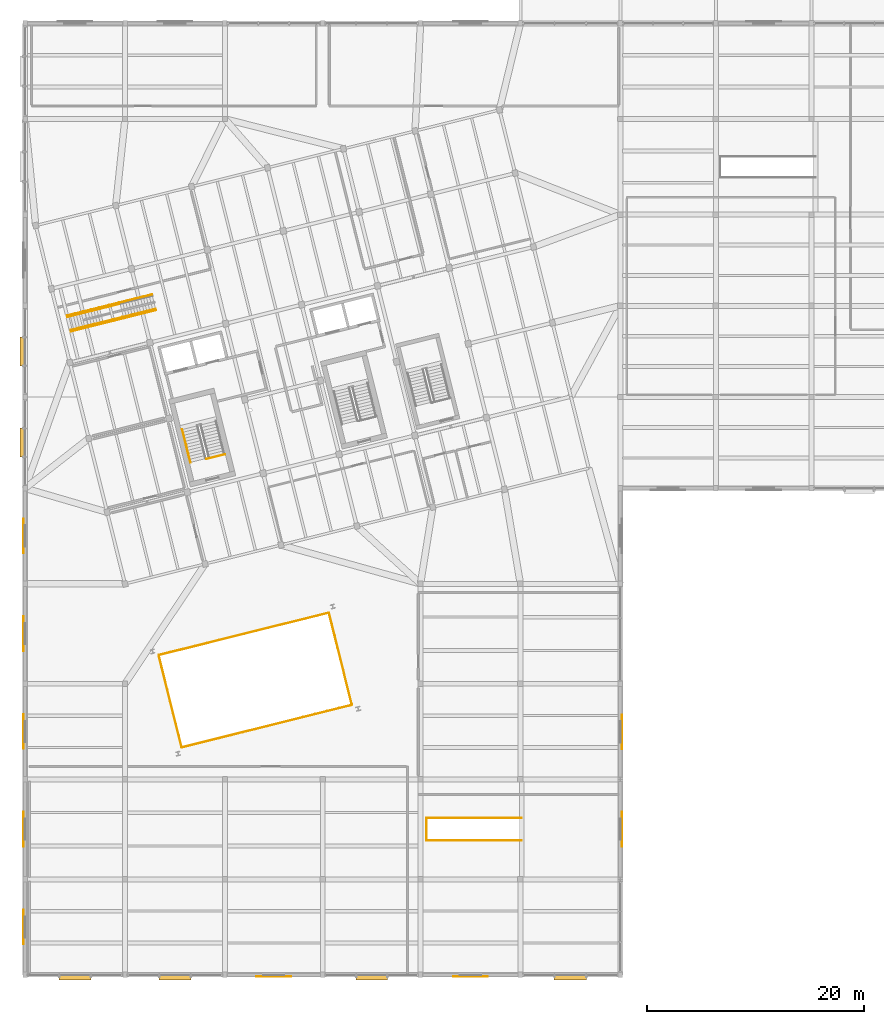
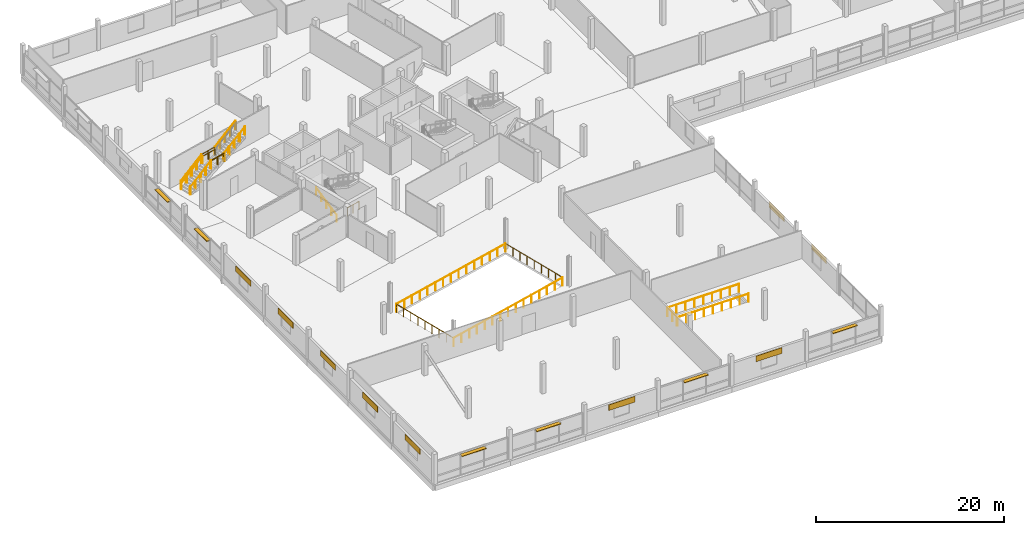
# One storey, part 60 of 62: 20 railings, 9 coverings, 6 shading devices.
"""IFC4 building model written with IfcOpenShell, lengths in metres."""

import ifcopenshell
import ifcopenshell.guid

model = None  # the IFC model being written
_history = None  # IfcOwnerHistory: only IFC2X3 demands one
_inside = {}  # id of a spatial element -> (the spatial element, [elements in it])
_under = {}  # id of a project, library or spatial element -> (it, [spatial elements below it])
_declared = {}  # id of a project -> (the project, [libraries it declares])
_typed = {}  # id of a type object -> (the type object, [elements of that type])
_made_of = {}  # id of a material, layer set ... -> (it, [elements and type objects made of it])


def new_model(schema):
    """Start an empty IFC model of exactly this schema.

    Asked for "IFC4X3", IfcOpenShell would pick the latest addendum, in which some entities
    have other attributes; the version numbers below select the first issue.
    IFC2X3 requires an IfcOwnerHistory on every rooted entity: one is made here for all.
    """
    global model, _history
    if schema == "IFC4X3":
        model = ifcopenshell.file(schema_version=(4, 3, 0, 0))
    else:
        model = ifcopenshell.file(schema=schema)
    _inside.clear()
    _under.clear()
    _declared.clear()
    _typed.clear()
    _made_of.clear()
    _history = None
    if model.schema == "IFC2X3":
        org = make("IfcOrganization", Name="unknown")
        user = make(
            "IfcPersonAndOrganization",
            ThePerson=make("IfcPerson", FamilyName="unknown"),
            TheOrganization=org,
        )
        app = make(
            "IfcApplication",
            ApplicationDeveloper=org,
            Version="unknown",
            ApplicationFullName="unknown",
            ApplicationIdentifier="unknown",
        )
        _history = make(
            "IfcOwnerHistory",
            OwningUser=user,
            OwningApplication=app,
            ChangeAction="ADDED",
            CreationDate=0,
        )
    return model


def make(cls, **values):
    """One entity of the class cls with the attributes given. An attribute that is None is left unset."""
    return model.create_entity(
        cls, **{name: value for name, value in values.items() if value is not None}
    )


def rooted(cls, **values):
    """An entity with a GlobalId (a new one), such as an element, a storey or a relation."""
    return make(cls, GlobalId=ifcopenshell.guid.new(), OwnerHistory=_history, **values)


def si_unit(unit_type, name, prefix=None):
    """IfcSIUnit, for example si_unit("LENGTHUNIT", "METRE", prefix="MILLI")."""
    return make("IfcSIUnit", UnitType=unit_type, Prefix=prefix, Name=name)


def assignment(units):
    """IfcUnitAssignment: the units of a project."""
    return None if units is None else make("IfcUnitAssignment", Units=units)


def point(xyz):
    """IfcCartesianPoint."""
    return None if xyz is None else make("IfcCartesianPoint", Coordinates=xyz)


def direction(xyz):
    """IfcDirection."""
    return None if xyz is None else make("IfcDirection", DirectionRatios=xyz)


def frame(location, z_axis=None, x_axis=None):
    """IfcAxis2Placement3D, a coordinate frame: its origin and axes. An axis left out is left unset."""
    return make(
        "IfcAxis2Placement3D",
        Location=point(location),
        Axis=direction(z_axis),
        RefDirection=direction(x_axis),
    )


def frame_2d(location, x_axis=None):
    """IfcAxis2Placement2D, a coordinate frame in the plane: its origin and x axis."""
    return make(
        "IfcAxis2Placement2D", Location=point(location), RefDirection=direction(x_axis)
    )


def origin():
    """The frame at (0, 0, 0) with its axes left unset."""
    return frame((0.0, 0.0, 0.0))


def origin_2d():
    """The frame at (0, 0) in the plane with its x axis left unset."""
    return frame_2d((0.0, 0.0))


def place(relative_to, where):
    """IfcLocalPlacement: puts the frame where relative to a parent placement (None: the world)."""
    return make(
        "IfcLocalPlacement", PlacementRelTo=relative_to, RelativePlacement=where
    )


def context(
    kind, dimensions, precision=None, world=None, true_north=None, identifier=None
):
    """IfcGeometricRepresentationContext, for example the 3D "Model" context."""
    return make(
        "IfcGeometricRepresentationContext",
        ContextIdentifier=identifier,
        ContextType=kind,
        CoordinateSpaceDimension=dimensions,
        Precision=precision,
        WorldCoordinateSystem=world,
        TrueNorth=true_north,
    )


def subcontext(parent, identifier, kind, view, scale=None):
    """IfcGeometricRepresentationSubContext, for example "Body" below "Model"."""
    return make(
        "IfcGeometricRepresentationSubContext",
        ContextIdentifier=identifier,
        ContextType=kind,
        ParentContext=parent,
        TargetScale=scale,
        TargetView=view,
    )


def project(units=None, contexts=None):
    """IfcProject with its units and contexts."""
    return rooted(
        "IfcProject",
        Name="project",
        RepresentationContexts=contexts,
        UnitsInContext=assignment(units),
    )


def spatial(cls, under=None, at=None, **own):
    """A site, building, storey or space (cls), placed at a placement, below another one or the project."""
    s = rooted(cls, ObjectPlacement=at, **own)
    if under is not None:
        _under.setdefault(under.id(), (under, []))[1].append(s)
    return s


def profile(cls, at=None, kind="AREA", **sizes):
    """A parametric profile (cls). Its sizes go by their IFC names, for example OverallWidth=200.0."""
    return make(cls, ProfileType=kind, Position=at, **sizes)


def rectangle(**sizes):
    """IfcRectangleProfileDef."""
    return profile("IfcRectangleProfileDef", **sizes)


def circle(**sizes):
    """IfcCircleProfileDef."""
    return profile("IfcCircleProfileDef", **sizes)


def extrude(swept, where, along, depth):
    """IfcExtrudedAreaSolid: the profile swept, set in the frame where, extruded along a direction by depth."""
    return make(
        "IfcExtrudedAreaSolid",
        SweptArea=swept,
        Position=where,
        ExtrudedDirection=direction(along),
        Depth=depth,
    )


def shape(context_of_items, identifier, shape_type, items):
    """IfcShapeRepresentation: the items that make up one representation, for example the "Body"."""
    return make(
        "IfcShapeRepresentation",
        ContextOfItems=context_of_items,
        RepresentationIdentifier=identifier,
        RepresentationType=shape_type,
        Items=items,
    )


def material(Name=None, Category=None):
    """IfcMaterial."""
    return make("IfcMaterial", Name=Name, Category=Category)


def layer(
    of_material, thickness, ventilated=None, Name=None, Category=None, Priority=None
):
    """IfcMaterialLayer: one layer of a wall or slab, of a material (None: an air gap)."""
    return make(
        "IfcMaterialLayer",
        Material=of_material,
        LayerThickness=thickness,
        IsVentilated=ventilated,
        Name=Name,
        Category=Category,
        Priority=Priority,
    )


def layer_set(layers, Name=None):
    """IfcMaterialLayerSet."""
    return make("IfcMaterialLayerSet", MaterialLayers=layers, LayerSetName=Name)


def made_of(thing, what):
    """Note that an element or type object is made of a material, layer set ...; save() writes the relation."""
    if what is not None:
        _made_of.setdefault(what.id(), (what, []))[1].append(thing)
    return thing


def type_object(cls, material=None, **own):
    """A type object (cls), such as IfcWallType, which elements share."""
    return made_of(rooted(cls, **own), material)


def element(
    cls,
    number,
    at=None,
    inside=None,
    cuts=None,
    type_object=None,
    material=None,
    context=None,
    identifier="Body",
    shape_type=None,
    held_by="IfcProductDefinitionShape",
    body=None,
    shapes=None,
    **own,
):
    """One element of the class cls, such as IfcWall. Its Tag is "e" and its number.

    at: its placement. inside: the storey or other place that contains it. cuts: it is an
    opening in that element (IfcRelVoidsElement). A single representation is given by context,
    identifier, shape_type and body (its items); several are given by shapes. held_by: the class
    of the entity that holds the representations. save() writes the other relations.
    """
    e = rooted(cls, Tag="e%d" % number, ObjectPlacement=at, **own)
    if body is not None:
        shapes = [shape(context, identifier, shape_type, body)]
    if shapes is not None:
        e.Representation = make(held_by, Representations=shapes)
    if inside is not None:
        _inside.setdefault(inside.id(), (inside, []))[1].append(e)
    if cuts is not None:
        rooted(
            "IfcRelVoidsElement", RelatingBuildingElement=cuts, RelatedOpeningElement=e
        )
    if type_object is not None:
        _typed.setdefault(type_object.id(), (type_object, []))[1].append(e)
    return made_of(e, material)


def aggregate(whole, parts):
    """IfcRelAggregates: a whole, such as a stair, and the parts it consists of."""
    return rooted("IfcRelAggregates", RelatingObject=whole, RelatedObjects=parts)


def save(model, path):
    """Write the relations noted so far, then the file.

    IfcRelAggregates (storeys below a building ...), IfcRelContainedInSpatialStructure (elements
    in a storey), IfcRelDefinesByType, IfcRelAssociatesMaterial and IfcRelDeclares: one each for
    every whole, place, type object, material and project.
    """
    for whole, parts in _under.values():
        aggregate(whole, parts)
    for where, things in _inside.values():
        rooted(
            "IfcRelContainedInSpatialStructure",
            RelatedElements=things,
            RelatingStructure=where,
        )
    for kind, things in _typed.values():
        rooted("IfcRelDefinesByType", RelatedObjects=things, RelatingType=kind)
    for what, things in _made_of.values():
        rooted("IfcRelAssociatesMaterial", RelatedObjects=things, RelatingMaterial=what)
    for by, libraries in _declared.values():
        rooted("IfcRelDeclares", RelatingContext=by, RelatedDefinitions=libraries)
    model.write(path)


model = new_model("IFC4")

# Units and contexts
model_context = context("Model", 3, precision=1e-05, world=origin(), true_north=direction((0.0, 1.0)))
body_context = subcontext(model_context, "Body", "Model", "MODEL_VIEW")
ifc_project = project(units=[si_unit("LENGTHUNIT", "METRE"), si_unit("AREAUNIT", "SQUARE_METRE"), si_unit("VOLUMEUNIT", "CUBIC_METRE"), si_unit("PLANEANGLEUNIT", "RADIAN"), si_unit("MASSUNIT", "GRAM", prefix="KILO")], contexts=[model_context])

# Site, building, storey
site_placement = place(None, origin())
site = spatial("IfcSite", under=ifc_project, at=site_placement, CompositionType="ELEMENT")
building_placement = place(site_placement, origin())
building = spatial("IfcBuilding", under=site, at=building_placement, Name="Meriwether Solvik Hall", CompositionType="ELEMENT")
storey_placement = place(building_placement, frame((0.0, 0.0, 14.39990234375)))
storey = spatial("IfcBuildingStorey", under=building, at=storey_placement, Name="L03", CompositionType="ELEMENT", Elevation=14.39990234375)

# Coverings
ifc_material_1 = material(Name="Acetylated Charred Western Red Cedar Timber", Category="wood")
ifc_layer_1 = layer(ifc_material_1, 0.0400390625)
ifc_layer_set_1 = layer_set([ifc_layer_1], Name="Acetylated Charred Western Red Cedar Timber")
covering_type = type_object("IfcCoveringType", Name="COV-CLAD-TIMB", PredefinedType="CLADDING", material=ifc_layer_set_1)
for number, where, z_axis, x_axis, name in (
    (1, (82.300048828125, 5.0400390625, 2.05517578125), (0.0, 0.0, 1.0), (-1.0, 0.0, 0.0), "L03 Facade Cladding XA_9_2"),
    (2, (100.39990234375, 5.0400390625, 2.05517578125), (0.0, 0.0, 1.0), (-1.0, 0.0, 0.0), "L03 Facade Cladding XA_11_4"),
    (3, (59.239990234375, 9.60009765625, 2.05517578125), (0.0, 0.0, 1.0), (0.0, 1.0, 0.0), "L03 Facade Cladding Y7_1_24"),
    (4, (59.239990234375, 18.60009765625, 2.05517578125), (0.0, 0.0, 1.0), (0.0, 1.0, 0.0), "L03 Facade Cladding Y7_2_25"),
    (5, (59.239990234375, 27.60009765625, 2.05517578125), (0.0, 0.0, 1.0), (0.0, 1.0, 0.0), "L03 Facade Cladding Y7_3_26"),
    (6, (59.239990234375, 36.60009765625, 2.05517578125), (0.0, 0.0, 1.0), (0.0, 1.0, 0.0), "L03 Facade Cladding Y7_4_27"),
    (7, (59.239990234375, 45.60009765625, 2.05517578125), (0.0, 0.0, 1.0), (0.0, 1.0, 0.0), "L03 Facade Cladding Y7_5_28"),
    (8, (114.360107421875, 18.60009765625, 2.05517578125), (0.0, 0.0, 1.0), (0.0, -1.0, 0.0), "L03 Facade Cladding Y13_2_35"),
    (9, (114.360107421875, 27.565185546875, 2.05517578125), (0.0, 0.0, 1.0), (0.0, -1.0, 0.0), "L03 Facade Cladding Y13_3_36"),
):
    element("IfcCovering", number, at=place(storey_placement, frame(where, z_axis=z_axis, x_axis=x_axis)), inside=storey, type_object=covering_type, Name=name, PredefinedType="CLADDING", context=body_context, shape_type="SweptSolid", body=[
        extrude(rectangle(XDim=3.199951171875, YDim=0.0400390625, at=origin_2d()), origin(), (0.0, 0.0, 1.0), 0.75),
    ])

# Railings
ifc_material_2 = material(Name="Steel A36 Galvanised", Category="steel")
ifc_layer_2 = layer(ifc_material_2, 0.054931640625)
ifc_layer_set_2 = layer_set([ifc_layer_2], Name="Steel A36 Galvanised")
railing_type_1 = type_object("IfcRailingType", Name="RAIL-STR-GUARD", PredefinedType="GUARDRAIL", material=ifc_layer_set_2)
railing_1_placement = place(storey_placement, frame((76.092041015625, 52.69384765625, 0.0)))
element("IfcRailing", 10, at=railing_1_placement, inside=storey, type_object=railing_type_1, Name="Stair ST-01 Well Guardrail (L03)", PredefinedType="GUARDRAIL", context=body_context, shape_type="SweptSolid", body=[
    extrude(circle(Radius=0.02392578125, at=origin_2d()), frame((0.0, 0.0, 1.09619140625), z_axis=(0.970298223594, 0.241911879182, 0.0), x_axis=(-0.241911879182, 0.970298223594, 0.0)), (0.0, 0.0, 1.0), 1.75),
    extrude(circle(Radius=0.02099609375, at=origin_2d()), origin(), (0.0, 0.0, 1.0), 1.072021484375),
    extrude(circle(Radius=0.02099609375, at=origin_2d()), frame((0.84912109375, 0.211669921875, 0.0)), (0.0, 0.0, 1.0), 1.072021484375),
    extrude(circle(Radius=0.02099609375, at=origin_2d()), frame((1.697998046875, 0.42333984375, 0.0)), (0.0, 0.0, 1.0), 1.072021484375),
])
railing_2_placement = place(storey_placement, frame((105.1201171875, 17.56005859375, 0.0)))
element("IfcRailing", 11, at=railing_2_placement, inside=storey, type_object=railing_type_1, Name="Stair ST-AT3 Arrival Well Guardrail (L03) 1", PredefinedType="GUARDRAIL", context=body_context, shape_type="SweptSolid", body=[
    extrude(circle(Radius=0.02392578125, at=origin_2d()), frame((0.0, 0.0, 1.09619140625), z_axis=(-1.0, 0.0, 0.0), x_axis=(0.0, -1.0, 0.0)), (0.0, 0.0, 1.0), 8.748046875),
    extrude(circle(Radius=0.02099609375, at=origin_2d()), origin(), (0.0, 0.0, 1.0), 1.072021484375),
    extrude(circle(Radius=0.02099609375, at=origin_2d()), frame((-1.093505859375, 0.0, 0.0)), (0.0, 0.0, 1.0), 1.072021484375),
    extrude(circle(Radius=0.02099609375, at=origin_2d()), frame((-2.18701171875, 0.0, 0.0)), (0.0, 0.0, 1.0), 1.072021484375),
    extrude(circle(Radius=0.02099609375, at=origin_2d()), frame((-3.280517578125, 0.0, 0.0)), (0.0, 0.0, 1.0), 1.072021484375),
    extrude(circle(Radius=0.02099609375, at=origin_2d()), frame((-4.3740234375, 0.0, 0.0)), (0.0, 0.0, 1.0), 1.072021484375),
    extrude(circle(Radius=0.02099609375, at=origin_2d()), frame((-5.467529296875, 0.0, 0.0)), (0.0, 0.0, 1.0), 1.072021484375),
    extrude(circle(Radius=0.02099609375, at=origin_2d()), frame((-6.56103515625, 0.0, 0.0)), (0.0, 0.0, 1.0), 1.072021484375),
    extrude(circle(Radius=0.02099609375, at=origin_2d()), frame((-7.654541015625, 0.0, 0.0)), (0.0, 0.0, 1.0), 1.072021484375),
    extrude(circle(Radius=0.02099609375, at=origin_2d()), frame((-8.748046875, 0.0, 0.0)), (0.0, 0.0, 1.0), 1.072021484375),
])
railing_3_placement = place(storey_placement, frame((96.340087890625, 17.592041015625, 0.0)))
element("IfcRailing", 12, at=railing_3_placement, inside=storey, type_object=railing_type_1, Name="Stair ST-AT3 Arrival Well Guardrail (L03) 2", PredefinedType="GUARDRAIL", context=body_context, shape_type="SweptSolid", body=[
    extrude(circle(Radius=0.02392578125, at=origin_2d()), frame((0.0, 0.0, 1.09619140625), z_axis=(0.0, 1.0, 0.0), x_axis=(-1.0, 0.0, 0.0)), (0.0, 0.0, 1.0), 2.015869140625),
    extrude(circle(Radius=0.02099609375, at=origin_2d()), origin(), (0.0, 0.0, 1.0), 1.072021484375),
    extrude(circle(Radius=0.02099609375, at=origin_2d()), frame((0.0, 1.0078125, 0.0)), (0.0, 0.0, 1.0), 1.072021484375),
    extrude(circle(Radius=0.02099609375, at=origin_2d()), frame((0.0, 2.015869140625, 0.0)), (0.0, 0.0, 1.0), 1.072021484375),
])
railing_4_placement = place(storey_placement, frame((96.3720703125, 19.639892578125, 0.0)))
element("IfcRailing", 13, at=railing_4_placement, inside=storey, type_object=railing_type_1, Name="Stair ST-AT3 Arrival Well Guardrail (L03) 3", PredefinedType="GUARDRAIL", context=body_context, shape_type="SweptSolid", body=[
    extrude(circle(Radius=0.02392578125, at=origin_2d()), frame((0.0, 0.0, 1.09619140625), z_axis=(1.0, 0.0, 0.0), x_axis=(0.0, 1.0, 0.0)), (0.0, 0.0, 1.0), 8.748046875),
    extrude(circle(Radius=0.02099609375, at=origin_2d()), origin(), (0.0, 0.0, 1.0), 1.072021484375),
    extrude(circle(Radius=0.02099609375, at=origin_2d()), frame((1.093505859375, 0.0, 0.0)), (0.0, 0.0, 1.0), 1.072021484375),
    extrude(circle(Radius=0.02099609375, at=origin_2d()), frame((2.18701171875, 0.0, 0.0)), (0.0, 0.0, 1.0), 1.072021484375),
    extrude(circle(Radius=0.02099609375, at=origin_2d()), frame((3.280517578125, 0.0, 0.0)), (0.0, 0.0, 1.0), 1.072021484375),
    extrude(circle(Radius=0.02099609375, at=origin_2d()), frame((4.3740234375, 0.0, 0.0)), (0.0, 0.0, 1.0), 1.072021484375),
    extrude(circle(Radius=0.02099609375, at=origin_2d()), frame((5.467529296875, 0.0, 0.0)), (0.0, 0.0, 1.0), 1.072021484375),
    extrude(circle(Radius=0.02099609375, at=origin_2d()), frame((6.56103515625, 0.0, 0.0)), (0.0, 0.0, 1.0), 1.072021484375),
    extrude(circle(Radius=0.02099609375, at=origin_2d()), frame((7.654541015625, 0.0, 0.0)), (0.0, 0.0, 1.0), 1.072021484375),
    extrude(circle(Radius=0.02099609375, at=origin_2d()), frame((8.748046875, 0.0, 0.0)), (0.0, 0.0, 1.0), 1.072021484375),
])
railing_5_placement = place(storey_placement, frame((63.62939453125, 64.44287109375, 0.0)))
element("IfcRailing", 14, at=railing_5_placement, inside=storey, type_object=railing_type_1, Name="Stair ST-ED1 Guardrail L 1", PredefinedType="GUARDRAIL", context=body_context, shape_type="SweptSolid", body=[
    extrude(circle(Radius=0.02392578125, at=origin_2d()), frame((0.0, 0.0, 1.09619140625), z_axis=(0.819789962935, 0.204372270766, 0.534954569672), x_axis=(-0.241894791228, 0.970302483753, 0.0)), (0.0, 0.0, 1.0), 3.607666015625),
    extrude(circle(Radius=0.02099609375, at=origin_2d()), origin(), (0.0, 0.0, 1.0), 1.072021484375),
    extrude(circle(Radius=0.02099609375, at=origin_2d()), frame((0.7392578125, 0.184326171875, 0.482421875)), (0.0, 0.0, 1.0), 1.072021484375),
    extrude(circle(Radius=0.02099609375, at=origin_2d()), frame((1.478759765625, 0.36865234375, 0.96484375)), (0.0, 0.0, 1.0), 1.072021484375),
    extrude(circle(Radius=0.02099609375, at=origin_2d()), frame((2.21826171875, 0.552978515625, 1.447509765625)), (0.0, 0.0, 1.0), 1.072021484375),
    extrude(circle(Radius=0.02099609375, at=origin_2d()), frame((2.95751953125, 0.7373046875, 1.929931640625)), (0.0, 0.0, 1.0), 1.072021484375),
])
railing_6_placement = place(storey_placement, frame((66.64892578125, 65.19580078125, 1.9501953125)))
element("IfcRailing", 15, at=railing_6_placement, inside=storey, type_object=railing_type_1, Name="Stair ST-ED1 Guardrail L 2", PredefinedType="GUARDRAIL", context=body_context, shape_type="SweptSolid", body=[
    extrude(circle(Radius=0.02392578125, at=origin_2d()), frame((0.0, 0.0, 1.09619140625), z_axis=(0.970306538846, 0.241878524621, 0.0), x_axis=(-0.241878524621, 0.970306538846, 0.0)), (0.0, 0.0, 1.0), 1.8359375),
    extrude(circle(Radius=0.02099609375, at=origin_2d()), origin(), (0.0, 0.0, 1.0), 1.072021484375),
    extrude(circle(Radius=0.02099609375, at=origin_2d()), frame((0.890625, 0.22216796875, 0.0)), (0.0, 0.0, 1.0), 1.072021484375),
    extrude(circle(Radius=0.02099609375, at=origin_2d()), frame((1.781494140625, 0.444091796875, 0.0)), (0.0, 0.0, 1.0), 1.072021484375),
])
railing_7_placement = place(storey_placement, frame((68.492431640625, 65.655517578125, 1.970458984375)))
element("IfcRailing", 16, at=railing_7_placement, inside=storey, type_object=railing_type_1, Name="Stair ST-ED1 Guardrail L 3", PredefinedType="GUARDRAIL", context=body_context, shape_type="SweptSolid", body=[
    extrude(circle(Radius=0.02392578125, at=origin_2d()), frame((0.0, 0.0, 1.09619140625), z_axis=(0.819819640662, 0.204379669374, 0.534906260508), x_axis=(-0.241894791228, 0.970302483753, 0.0)), (0.0, 0.0, 1.0), 3.607421875),
    extrude(circle(Radius=0.02099609375, at=origin_2d()), origin(), (0.0, 0.0, 1.0), 1.072021484375),
    extrude(circle(Radius=0.02099609375, at=origin_2d()), frame((0.7392578125, 0.184326171875, 0.482421875)), (0.0, 0.0, 1.0), 1.072021484375),
    extrude(circle(Radius=0.02099609375, at=origin_2d()), frame((1.478759765625, 0.36865234375, 0.96484375)), (0.0, 0.0, 1.0), 1.072021484375),
    extrude(circle(Radius=0.02099609375, at=origin_2d()), frame((2.21826171875, 0.552978515625, 1.447265625)), (0.0, 0.0, 1.0), 1.072021484375),
    extrude(circle(Radius=0.02099609375, at=origin_2d()), frame((2.95751953125, 0.7373046875, 1.9296875)), (0.0, 0.0, 1.0), 1.072021484375),
])
railing_8_placement = place(storey_placement, frame((63.268798828125, 65.888671875, 0.0)))
element("IfcRailing", 17, at=railing_8_placement, inside=storey, type_object=railing_type_1, Name="Stair ST-ED1 Guardrail R 1", PredefinedType="GUARDRAIL", context=body_context, shape_type="SweptSolid", body=[
    extrude(circle(Radius=0.02392578125, at=origin_2d()), frame((0.0, 0.0, 1.09619140625), z_axis=(0.819789962935, 0.204372270766, 0.534954569672), x_axis=(-0.241894791228, 0.970302483753, 0.0)), (0.0, 0.0, 1.0), 3.607666015625),
    extrude(circle(Radius=0.02099609375, at=origin_2d()), origin(), (0.0, 0.0, 1.0), 1.072021484375),
    extrude(circle(Radius=0.02099609375, at=origin_2d()), frame((0.7392578125, 0.184326171875, 0.482421875)), (0.0, 0.0, 1.0), 1.072021484375),
    extrude(circle(Radius=0.02099609375, at=origin_2d()), frame((1.478759765625, 0.36865234375, 0.96484375)), (0.0, 0.0, 1.0), 1.072021484375),
    extrude(circle(Radius=0.02099609375, at=origin_2d()), frame((2.21826171875, 0.552978515625, 1.447509765625)), (0.0, 0.0, 1.0), 1.072021484375),
    extrude(circle(Radius=0.02099609375, at=origin_2d()), frame((2.95751953125, 0.7373046875, 1.929931640625)), (0.0, 0.0, 1.0), 1.072021484375),
])
railing_9_placement = place(storey_placement, frame((66.28857421875, 66.6416015625, 1.9501953125)))
element("IfcRailing", 18, at=railing_9_placement, inside=storey, type_object=railing_type_1, Name="Stair ST-ED1 Guardrail R 2", PredefinedType="GUARDRAIL", context=body_context, shape_type="SweptSolid", body=[
    extrude(circle(Radius=0.02392578125, at=origin_2d()), frame((0.0, 0.0, 1.09619140625), z_axis=(0.970298757705, 0.241909736878, 0.0), x_axis=(-0.241909736878, 0.970298757705, 0.0)), (0.0, 0.0, 1.0), 1.835693359375),
    extrude(circle(Radius=0.02099609375, at=origin_2d()), origin(), (0.0, 0.0, 1.0), 1.072021484375),
    extrude(circle(Radius=0.02099609375, at=origin_2d()), frame((0.890625, 0.22216796875, 0.0)), (0.0, 0.0, 1.0), 1.072021484375),
    extrude(circle(Radius=0.02099609375, at=origin_2d()), frame((1.78125, 0.444091796875, 0.0)), (0.0, 0.0, 1.0), 1.072021484375),
])
railing_10_placement = place(storey_placement, frame((68.132080078125, 67.10107421875, 1.970458984375)))
element("IfcRailing", 19, at=railing_10_placement, inside=storey, type_object=railing_type_1, Name="Stair ST-ED1 Guardrail R 3", PredefinedType="GUARDRAIL", context=body_context, shape_type="SweptSolid", body=[
    extrude(circle(Radius=0.02392578125, at=origin_2d()), frame((0.0, 0.0, 1.09619140625), z_axis=(0.819808299707, 0.204444516544, 0.534898860895), x_axis=(-0.24197019989, 0.970283681387, 0.0)), (0.0, 0.0, 1.0), 3.607666015625),
    extrude(circle(Radius=0.02099609375, at=origin_2d()), origin(), (0.0, 0.0, 1.0), 1.072021484375),
    extrude(circle(Radius=0.02099609375, at=origin_2d()), frame((0.7392578125, 0.184326171875, 0.482421875)), (0.0, 0.0, 1.0), 1.072021484375),
    extrude(circle(Radius=0.02099609375, at=origin_2d()), frame((1.478759765625, 0.36865234375, 0.96484375)), (0.0, 0.0, 1.0), 1.072021484375),
    extrude(circle(Radius=0.02099609375, at=origin_2d()), frame((2.21826171875, 0.55322265625, 1.447265625)), (0.0, 0.0, 1.0), 1.072021484375),
    extrude(circle(Radius=0.02099609375, at=origin_2d()), frame((2.95751953125, 0.737548828125, 1.9296875)), (0.0, 0.0, 1.0), 1.072021484375),
])
ifc_material_3 = material(Name="Stainless Steel AISI 316", Category="steel")
ifc_layer_3 = layer(ifc_material_3, 0.044921875)
ifc_layer_set_3 = layer_set([ifc_layer_3], Name="Stainless Steel AISI 316")
railing_type_2 = type_object("IfcRailingType", Name="RAIL-STR-HAND", PredefinedType="HANDRAIL", material=ifc_layer_set_3)
railing_11_placement = place(storey_placement, frame((74.6220703125, 52.38916015625, 0.0)))
element("IfcRailing", 20, at=railing_11_placement, inside=storey, type_object=railing_type_2, Name="Stair ST-01 Lower Handrail (L03)", PredefinedType="HANDRAIL", context=body_context, shape_type="SweptSolid", body=[
    extrude(circle(Radius=0.02392578125, at=origin_2d()), frame((0.0, 0.0, 0.89599609375), z_axis=(-0.205467106702, 0.823914517495, 0.528155408876), x_axis=(-0.970284074567, -0.241968623258, 0.0)), (0.0, 0.0, 1.0), 3.698974609375),
    extrude(circle(Radius=0.02099609375, at=origin_2d()), origin(), (0.0, 0.0, 1.0), 0.871826171875),
    extrude(circle(Radius=0.02099609375, at=origin_2d()), frame((-0.18994140625, 0.761962890625, 0.48828125)), (0.0, 0.0, 1.0), 0.871826171875),
    extrude(circle(Radius=0.02099609375, at=origin_2d()), frame((-0.3798828125, 1.52392578125, 0.976806640625)), (0.0, 0.0, 1.0), 0.871826171875),
    extrude(circle(Radius=0.02099609375, at=origin_2d()), frame((-0.570068359375, 2.28564453125, 1.46533203125)), (0.0, 0.0, 1.0), 0.871826171875),
    extrude(circle(Radius=0.02099609375, at=origin_2d()), frame((-0.760009765625, 3.047607421875, 1.95361328125)), (0.0, 0.0, 1.0), 0.871826171875),
])
railing_12_placement = place(storey_placement, frame((63.600341796875, 64.559326171875, 0.0)))
element("IfcRailing", 21, at=railing_12_placement, inside=storey, type_object=railing_type_2, Name="Stair ST-ED1 Handrail L 1", PredefinedType="HANDRAIL", context=body_context, shape_type="SweptSolid", body=[
    extrude(circle(Radius=0.02392578125, at=origin_2d()), frame((0.0, 0.0, 0.89599609375), z_axis=(0.819779742851, 0.204410180499, 0.534955747067), x_axis=(-0.241939874624, 0.970291243425, 0.0)), (0.0, 0.0, 1.0), 3.65234375),
    extrude(circle(Radius=0.02099609375, at=origin_2d()), origin(), (0.0, 0.0, 1.0), 0.871826171875),
    extrude(circle(Radius=0.02099609375, at=origin_2d()), frame((0.74853515625, 0.1865234375, 0.488525390625)), (0.0, 0.0, 1.0), 0.871826171875),
    extrude(circle(Radius=0.02099609375, at=origin_2d()), frame((1.4970703125, 0.373291015625, 0.97705078125)), (0.0, 0.0, 1.0), 0.871826171875),
    extrude(circle(Radius=0.02099609375, at=origin_2d()), frame((2.24560546875, 0.56005859375, 1.46533203125)), (0.0, 0.0, 1.0), 0.871826171875),
    extrude(circle(Radius=0.02099609375, at=origin_2d()), frame((2.994140625, 0.74658203125, 1.953857421875)), (0.0, 0.0, 1.0), 0.871826171875),
])
railing_13_placement = place(storey_placement, frame((66.65185546875, 65.320068359375, 1.9501953125)))
element("IfcRailing", 22, at=railing_13_placement, inside=storey, type_object=railing_type_2, Name="Stair ST-ED1 Handrail L 2", PredefinedType="HANDRAIL", context=body_context, shape_type="SweptSolid", body=[
    extrude(circle(Radius=0.02392578125, at=origin_2d()), frame((0.0, 0.0, 0.89599609375), z_axis=(0.970296454726, 0.241918973929, 0.0), x_axis=(-0.241918973929, 0.970296454726, 0.0)), (0.0, 0.0, 1.0), 1.77001953125),
    extrude(circle(Radius=0.02099609375, at=origin_2d()), origin(), (0.0, 0.0, 1.0), 0.871826171875),
    extrude(circle(Radius=0.02099609375, at=origin_2d()), frame((0.85888671875, 0.214111328125, 0.0)), (0.0, 0.0, 1.0), 0.871826171875),
    extrude(circle(Radius=0.02099609375, at=origin_2d()), frame((1.717529296875, 0.42822265625, 0.0)), (0.0, 0.0, 1.0), 0.871826171875),
])
railing_14_placement = place(storey_placement, frame((68.432373046875, 65.76416015625, 1.9501953125)))
element("IfcRailing", 23, at=railing_14_placement, inside=storey, type_object=railing_type_2, Name="Stair ST-ED1 Handrail L 3", PredefinedType="HANDRAIL", context=body_context, shape_type="SweptSolid", body=[
    extrude(circle(Radius=0.02392578125, at=origin_2d()), frame((0.0, 0.0, 0.89599609375), z_axis=(0.819830975066, 0.204406287954, 0.534878716876), x_axis=(-0.241921303114, 0.970295873999, 0.0)), (0.0, 0.0, 1.0), 3.65234375),
    extrude(circle(Radius=0.02099609375, at=origin_2d()), origin(), (0.0, 0.0, 1.0), 0.871826171875),
    extrude(circle(Radius=0.02099609375, at=origin_2d()), frame((0.74853515625, 0.1865234375, 0.48828125)), (0.0, 0.0, 1.0), 0.871826171875),
    extrude(circle(Radius=0.02099609375, at=origin_2d()), frame((1.4970703125, 0.373291015625, 0.976806640625)), (0.0, 0.0, 1.0), 0.871826171875),
    extrude(circle(Radius=0.02099609375, at=origin_2d()), frame((2.245849609375, 0.56005859375, 1.46533203125)), (0.0, 0.0, 1.0), 0.871826171875),
    extrude(circle(Radius=0.02099609375, at=origin_2d()), frame((2.994384765625, 0.74658203125, 1.95361328125)), (0.0, 0.0, 1.0), 0.871826171875),
])
railing_15_placement = place(storey_placement, frame((63.2978515625, 65.772216796875, 0.0)))
element("IfcRailing", 24, at=railing_15_placement, inside=storey, type_object=railing_type_2, Name="Stair ST-ED1 Handrail R 1", PredefinedType="HANDRAIL", context=body_context, shape_type="SweptSolid", body=[
    extrude(circle(Radius=0.02392578125, at=origin_2d()), frame((0.0, 0.0, 0.89599609375), z_axis=(0.819801663417, 0.204398979758, 0.534926433944), x_axis=(-0.241921303114, 0.970295873999, 0.0)), (0.0, 0.0, 1.0), 3.652587890625),
    extrude(circle(Radius=0.02099609375, at=origin_2d()), origin(), (0.0, 0.0, 1.0), 0.871826171875),
    extrude(circle(Radius=0.02099609375, at=origin_2d()), frame((0.74853515625, 0.1865234375, 0.488525390625)), (0.0, 0.0, 1.0), 0.871826171875),
    extrude(circle(Radius=0.02099609375, at=origin_2d()), frame((1.4970703125, 0.373291015625, 0.97705078125)), (0.0, 0.0, 1.0), 0.871826171875),
    extrude(circle(Radius=0.02099609375, at=origin_2d()), frame((2.245849609375, 0.56005859375, 1.46533203125)), (0.0, 0.0, 1.0), 0.871826171875),
    extrude(circle(Radius=0.02099609375, at=origin_2d()), frame((2.994384765625, 0.74658203125, 1.953857421875)), (0.0, 0.0, 1.0), 0.871826171875),
])
railing_16_placement = place(storey_placement, frame((66.349609375, 66.532958984375, 1.9501953125)))
element("IfcRailing", 25, at=railing_16_placement, inside=storey, type_object=railing_type_2, Name="Stair ST-ED1 Handrail R 2", PredefinedType="HANDRAIL", context=body_context, shape_type="SweptSolid", body=[
    extrude(circle(Radius=0.02392578125, at=origin_2d()), frame((0.0, 0.0, 0.89599609375), z_axis=(0.970288381123, 0.241951353496, 0.0), x_axis=(-0.241951353496, 0.970288381123, 0.0)), (0.0, 0.0, 1.0), 1.769775390625),
    extrude(circle(Radius=0.02099609375, at=origin_2d()), origin(), (0.0, 0.0, 1.0), 0.871826171875),
    extrude(circle(Radius=0.02099609375, at=origin_2d()), frame((0.858642578125, 0.214111328125, 0.0)), (0.0, 0.0, 1.0), 0.871826171875),
    extrude(circle(Radius=0.02099609375, at=origin_2d()), frame((1.71728515625, 0.42822265625, 0.0)), (0.0, 0.0, 1.0), 0.871826171875),
])
ifc_material_4 = material(Name="Laminated Tempered Glass and Stainless Steel AISI 316", Category="steel")
ifc_layer_4 = layer(ifc_material_4, 0.06005859375)
ifc_layer_set_4 = layer_set([ifc_layer_4], Name="Laminated Tempered Glass and Stainless Steel AISI 316")
railing_type_3 = type_object("IfcRailingType", Name="RAIL-TERR-1120", PredefinedType="GUARDRAIL", material=ifc_layer_set_4)
railing_17_placement = place(storey_placement, frame((73.8505859375, 26.14306640625, 0.0)))
element("IfcRailing", 26, at=railing_17_placement, inside=storey, type_object=railing_type_3, Name="L03 Civic Atrium Cleft Guardrail 1", PredefinedType="GUARDRAIL", context=body_context, shape_type="SweptSolid", body=[
    extrude(circle(Radius=0.02392578125, at=origin_2d()), frame((0.0, 0.0, 1.09619140625), z_axis=(0.970298438081, 0.241911018883, 0.0), x_axis=(-0.241911018883, 0.970298438081, 0.0)), (0.0, 0.0, 1.0), 16.095947265625),
    extrude(circle(Radius=0.02099609375, at=origin_2d()), origin(), (0.0, 0.0, 1.0), 1.072021484375),
    extrude(circle(Radius=0.02099609375, at=origin_2d()), frame((1.115478515625, 0.278076171875, 0.0)), (0.0, 0.0, 1.0), 1.072021484375),
    extrude(circle(Radius=0.02099609375, at=origin_2d()), frame((2.231201171875, 0.55615234375, 0.0)), (0.0, 0.0, 1.0), 1.072021484375),
    extrude(circle(Radius=0.02099609375, at=origin_2d()), frame((3.3466796875, 0.83447265625, 0.0)), (0.0, 0.0, 1.0), 1.072021484375),
    extrude(circle(Radius=0.02099609375, at=origin_2d()), frame((4.462158203125, 1.112548828125, 0.0)), (0.0, 0.0, 1.0), 1.072021484375),
    extrude(circle(Radius=0.02099609375, at=origin_2d()), frame((5.577880859375, 1.390625, 0.0)), (0.0, 0.0, 1.0), 1.072021484375),
    extrude(circle(Radius=0.02099609375, at=origin_2d()), frame((6.693359375, 1.668701171875, 0.0)), (0.0, 0.0, 1.0), 1.072021484375),
    extrude(circle(Radius=0.02099609375, at=origin_2d()), frame((7.80908203125, 1.94677734375, 0.0)), (0.0, 0.0, 1.0), 1.072021484375),
    extrude(circle(Radius=0.02099609375, at=origin_2d()), frame((8.924560546875, 2.22509765625, 0.0)), (0.0, 0.0, 1.0), 1.072021484375),
    extrude(circle(Radius=0.02099609375, at=origin_2d()), frame((10.0400390625, 2.503173828125, 0.0)), (0.0, 0.0, 1.0), 1.072021484375),
    extrude(circle(Radius=0.02099609375, at=origin_2d()), frame((11.15576171875, 2.78125, 0.0)), (0.0, 0.0, 1.0), 1.072021484375),
    extrude(circle(Radius=0.02099609375, at=origin_2d()), frame((12.271240234375, 3.059326171875, 0.0)), (0.0, 0.0, 1.0), 1.072021484375),
    extrude(circle(Radius=0.02099609375, at=origin_2d()), frame((13.38671875, 3.337646484375, 0.0)), (0.0, 0.0, 1.0), 1.072021484375),
    extrude(circle(Radius=0.02099609375, at=origin_2d()), frame((14.50244140625, 3.61572265625, 0.0)), (0.0, 0.0, 1.0), 1.072021484375),
    extrude(circle(Radius=0.02099609375, at=origin_2d()), frame((15.617919921875, 3.893798828125, 0.0)), (0.0, 0.0, 1.0), 1.072021484375),
])
railing_18_placement = place(storey_placement, frame((89.49169921875, 30.07568359375, 0.0)))
element("IfcRailing", 27, at=railing_18_placement, inside=storey, type_object=railing_type_3, Name="L03 Civic Atrium Cleft Guardrail 2", PredefinedType="GUARDRAIL", context=body_context, shape_type="SweptSolid", body=[
    extrude(circle(Radius=0.02392578125, at=origin_2d()), frame((0.0, 0.0, 1.09619140625), z_axis=(-0.241921231997, 0.970295891731, 0.0), x_axis=(-0.970295891731, -0.241921231997, 0.0)), (0.0, 0.0, 1.0), 8.696044921875),
    extrude(circle(Radius=0.02099609375, at=origin_2d()), origin(), (0.0, 0.0, 1.0), 1.072021484375),
    extrude(circle(Radius=0.02099609375, at=origin_2d()), frame((-0.262939453125, 1.0546875, 0.0)), (0.0, 0.0, 1.0), 1.072021484375),
    extrude(circle(Radius=0.02099609375, at=origin_2d()), frame((-0.52587890625, 2.109375, 0.0)), (0.0, 0.0, 1.0), 1.072021484375),
    extrude(circle(Radius=0.02099609375, at=origin_2d()), frame((-0.788818359375, 3.1640625, 0.0)), (0.0, 0.0, 1.0), 1.072021484375),
    extrude(circle(Radius=0.02099609375, at=origin_2d()), frame((-1.0517578125, 4.21875, 0.0)), (0.0, 0.0, 1.0), 1.072021484375),
    extrude(circle(Radius=0.02099609375, at=origin_2d()), frame((-1.31494140625, 5.273681640625, 0.0)), (0.0, 0.0, 1.0), 1.072021484375),
    extrude(circle(Radius=0.02099609375, at=origin_2d()), frame((-1.577880859375, 6.328369140625, 0.0)), (0.0, 0.0, 1.0), 1.072021484375),
    extrude(circle(Radius=0.02099609375, at=origin_2d()), frame((-1.8408203125, 7.383056640625, 0.0)), (0.0, 0.0, 1.0), 1.072021484375),
    extrude(circle(Radius=0.02099609375, at=origin_2d()), frame((-2.103759765625, 8.437744140625, 0.0)), (0.0, 0.0, 1.0), 1.072021484375),
])
railing_19_placement = place(storey_placement, frame((87.34912109375, 38.53662109375, 0.0)))
element("IfcRailing", 28, at=railing_19_placement, inside=storey, type_object=railing_type_3, Name="L03 Civic Atrium Cleft Guardrail 3", PredefinedType="GUARDRAIL", context=body_context, shape_type="SweptSolid", body=[
    extrude(circle(Radius=0.02392578125, at=origin_2d()), frame((0.0, 0.0, 1.09619140625), z_axis=(-0.970297550429, -0.241914579206, 0.0), x_axis=(0.241914579206, -0.970297550429, 0.0)), (0.0, 0.0, 1.0), 16.095703125),
    extrude(circle(Radius=0.02099609375, at=origin_2d()), origin(), (0.0, 0.0, 1.0), 1.072021484375),
    extrude(circle(Radius=0.02099609375, at=origin_2d()), frame((-1.115478515625, -0.278076171875, 0.0)), (0.0, 0.0, 1.0), 1.072021484375),
    extrude(circle(Radius=0.02099609375, at=origin_2d()), frame((-2.231201171875, -0.55615234375, 0.0)), (0.0, 0.0, 1.0), 1.072021484375),
    extrude(circle(Radius=0.02099609375, at=origin_2d()), frame((-3.3466796875, -0.83447265625, 0.0)), (0.0, 0.0, 1.0), 1.072021484375),
    extrude(circle(Radius=0.02099609375, at=origin_2d()), frame((-4.462158203125, -1.112548828125, 0.0)), (0.0, 0.0, 1.0), 1.072021484375),
    extrude(circle(Radius=0.02099609375, at=origin_2d()), frame((-5.57763671875, -1.390625, 0.0)), (0.0, 0.0, 1.0), 1.072021484375),
    extrude(circle(Radius=0.02099609375, at=origin_2d()), frame((-6.693359375, -1.668701171875, 0.0)), (0.0, 0.0, 1.0), 1.072021484375),
    extrude(circle(Radius=0.02099609375, at=origin_2d()), frame((-7.808837890625, -1.94677734375, 0.0)), (0.0, 0.0, 1.0), 1.072021484375),
    extrude(circle(Radius=0.02099609375, at=origin_2d()), frame((-8.92431640625, -2.22509765625, 0.0)), (0.0, 0.0, 1.0), 1.072021484375),
    extrude(circle(Radius=0.02099609375, at=origin_2d()), frame((-10.0400390625, -2.503173828125, 0.0)), (0.0, 0.0, 1.0), 1.072021484375),
    extrude(circle(Radius=0.02099609375, at=origin_2d()), frame((-11.155517578125, -2.78125, 0.0)), (0.0, 0.0, 1.0), 1.072021484375),
    extrude(circle(Radius=0.02099609375, at=origin_2d()), frame((-12.27099609375, -3.059326171875, 0.0)), (0.0, 0.0, 1.0), 1.072021484375),
    extrude(circle(Radius=0.02099609375, at=origin_2d()), frame((-13.386474609375, -3.337646484375, 0.0)), (0.0, 0.0, 1.0), 1.072021484375),
    extrude(circle(Radius=0.02099609375, at=origin_2d()), frame((-14.502197265625, -3.61572265625, 0.0)), (0.0, 0.0, 1.0), 1.072021484375),
    extrude(circle(Radius=0.02099609375, at=origin_2d()), frame((-15.61767578125, -3.893798828125, 0.0)), (0.0, 0.0, 1.0), 1.072021484375),
])
railing_20_placement = place(storey_placement, frame((71.7080078125, 34.60400390625, 0.0)))
element("IfcRailing", 29, at=railing_20_placement, inside=storey, type_object=railing_type_3, Name="L03 Civic Atrium Cleft Guardrail 4", PredefinedType="GUARDRAIL", context=body_context, shape_type="SweptSolid", body=[
    extrude(circle(Radius=0.02392578125, at=origin_2d()), frame((0.0, 0.0, 1.09619140625), z_axis=(0.241921231997, -0.970295891731, 0.0), x_axis=(0.970295891731, 0.241921231997, 0.0)), (0.0, 0.0, 1.0), 8.696044921875),
    extrude(circle(Radius=0.02099609375, at=origin_2d()), origin(), (0.0, 0.0, 1.0), 1.072021484375),
    extrude(circle(Radius=0.02099609375, at=origin_2d()), frame((0.262939453125, -1.0546875, 0.0)), (0.0, 0.0, 1.0), 1.072021484375),
    extrude(circle(Radius=0.02099609375, at=origin_2d()), frame((0.52587890625, -2.109375, 0.0)), (0.0, 0.0, 1.0), 1.072021484375),
    extrude(circle(Radius=0.02099609375, at=origin_2d()), frame((0.788818359375, -3.1640625, 0.0)), (0.0, 0.0, 1.0), 1.072021484375),
    extrude(circle(Radius=0.02099609375, at=origin_2d()), frame((1.0517578125, -4.21875, 0.0)), (0.0, 0.0, 1.0), 1.072021484375),
    extrude(circle(Radius=0.02099609375, at=origin_2d()), frame((1.31494140625, -5.273681640625, 0.0)), (0.0, 0.0, 1.0), 1.072021484375),
    extrude(circle(Radius=0.02099609375, at=origin_2d()), frame((1.577880859375, -6.328369140625, 0.0)), (0.0, 0.0, 1.0), 1.072021484375),
    extrude(circle(Radius=0.02099609375, at=origin_2d()), frame((1.8408203125, -7.383056640625, 0.0)), (0.0, 0.0, 1.0), 1.072021484375),
    extrude(circle(Radius=0.02099609375, at=origin_2d()), frame((2.103759765625, -8.437744140625, 0.0)), (0.0, 0.0, 1.0), 1.072021484375),
])

# Shading devices
ifc_material_5 = material(Name="Anodised Aluminium 6063-T6", Category="aluminium")
shading_device_type_1 = type_object("IfcShadingDeviceType", Name="SHD-LOUVRE-S", PredefinedType="SHUTTER", material=ifc_material_5)
for number, where, z_axis, x_axis, name in (
    (30, (64.0, 4.9599609375, 2.594970703125), (0.0, 0.0, 1.0), (-1.0, 0.0, 0.0), "Solar Shading Louvre wing_XA_7_0"),
    (31, (73.199951171875, 4.9599609375, 2.594970703125), (0.0, 0.0, 1.0), (-1.0, 0.0, 0.0), "Solar Shading Louvre wing_XA_8_1"),
):
    element("IfcShadingDevice", number, at=place(storey_placement, frame(where, z_axis=z_axis, x_axis=x_axis)), inside=storey, type_object=shading_device_type_1, Name=name, PredefinedType="SHUTTER", context=body_context, shape_type="SweptSolid", body=[
        extrude(rectangle(XDim=2.970703125, YDim=0.4599609375, at=origin_2d()), origin(), (0.0, 0.0, 1.0), 0.080078125),
    ])
shading_device_1_placement = place(storey_placement, frame((91.300048828125, 4.9599609375, 2.594970703125), z_axis=(0.0, 0.0, 1.0), x_axis=(-1.0, 0.0, 0.0)))
element("IfcShadingDevice", 32, at=shading_device_1_placement, inside=storey, type_object=shading_device_type_1, Name="Solar Shading Louvre wing_XA_10_3", PredefinedType="SHUTTER", context=body_context, shape_type="SweptSolid", body=[
    extrude(rectangle(XDim=2.904052734375, YDim=0.4599609375, at=origin_2d()), origin(), (0.0, 0.0, 1.0), 0.080078125),
])
shading_device_2_placement = place(storey_placement, frame((109.60009765625, 4.9599609375, 2.594970703125), z_axis=(0.0, 0.0, 1.0), x_axis=(-1.0, 0.0, 0.0)))
element("IfcShadingDevice", 33, at=shading_device_2_placement, inside=storey, type_object=shading_device_type_1, Name="Solar Shading Louvre wing_XA_12_5", PredefinedType="SHUTTER", context=body_context, shape_type="SweptSolid", body=[
    extrude(rectangle(XDim=2.970703125, YDim=0.4599609375, at=origin_2d()), origin(), (0.0, 0.0, 1.0), 0.080078125),
])
ifc_material_6 = material(Name="Anodised Aluminium 6063-T6", Category="aluminium")
shading_device_type_2 = type_object("IfcShadingDeviceType", Name="SHD-LOUVRE-W", PredefinedType="USERDEFINED", material=ifc_material_6)
for number, where, z_axis, x_axis, name in (
    (34, (59.159912109375, 54.199951171875, 2.594970703125), (0.0, 0.0, 1.0), (0.0, 1.0, 0.0), "Solar Shading Louvre wing_Y7_6_29"),
    (35, (59.159912109375, 62.60009765625, 2.594970703125), (0.0, 0.0, 1.0), (0.0, 1.0, 0.0), "Solar Shading Louvre wing_Y7_7_30"),
):
    element("IfcShadingDevice", number, at=place(storey_placement, frame(where, z_axis=z_axis, x_axis=x_axis)), inside=storey, type_object=shading_device_type_2, Name=name, ObjectType="LOUVER", PredefinedType="USERDEFINED", context=body_context, shape_type="SweptSolid", body=[
        extrude(rectangle(XDim=2.678955078125, YDim=0.4599609375, at=origin_2d()), origin(), (0.0, 0.0, 1.0), 0.080078125),
    ])

save(model, "model.ifc")
